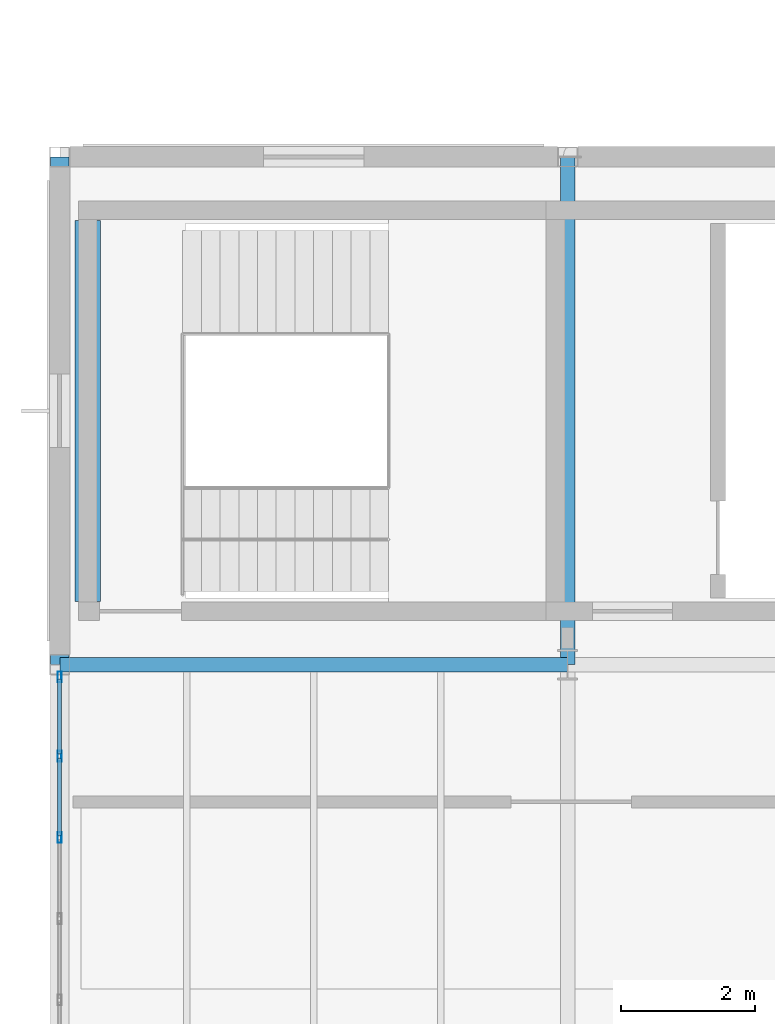
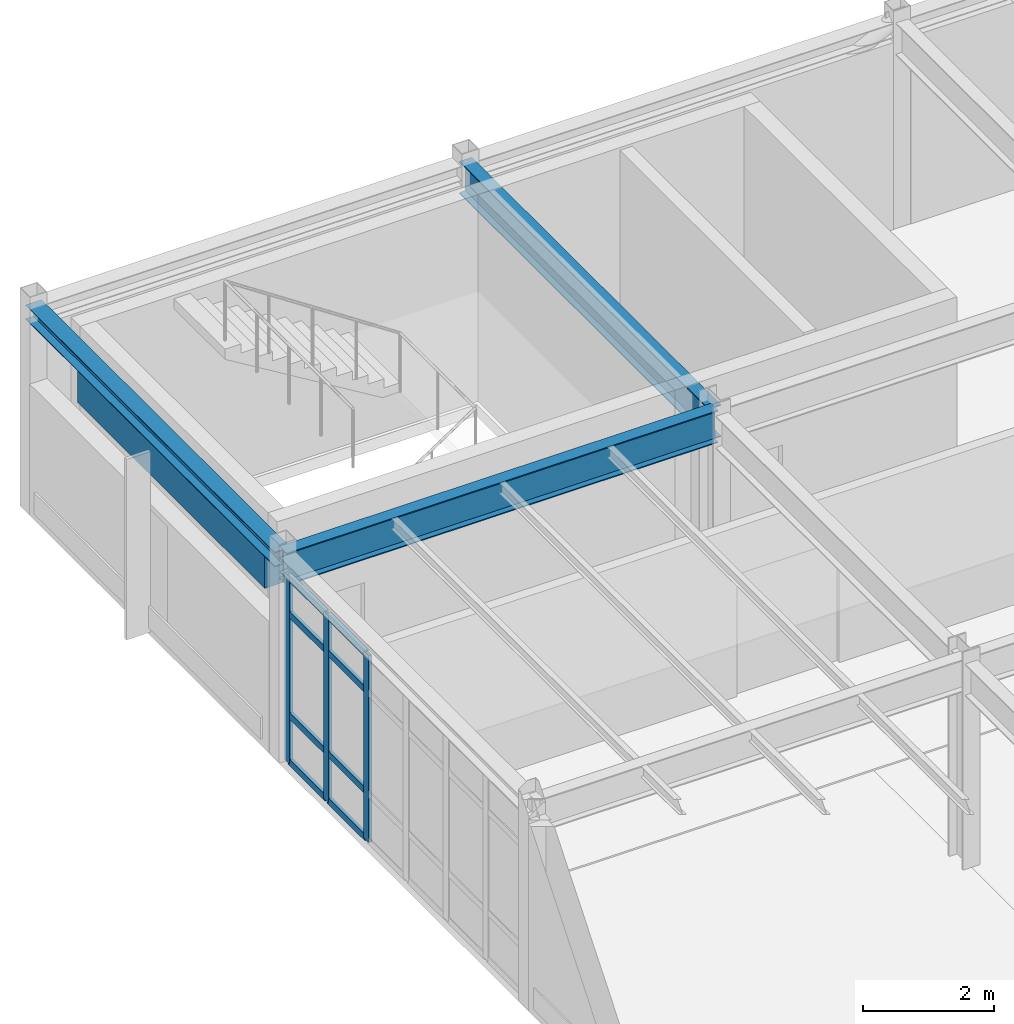
# One storey, part 75 of 165: 11 members, 4 beams, 1 element without a shape of its own.
"""IFC4 building model written with IfcOpenShell, lengths in metres."""

from ifc_helpers import new_model, si_unit, direction, frame, origin, origin_2d, place, context, subcontext, project, spatial, rectangle, hollow_rectangle, i_section, extrude, material, layer, layer_set, material_profile, profile_set, type_object, element, aggregate, save


model = new_model("IFC4")

# Units and contexts
model_context = context("Model", 3, precision=1e-05, world=origin(), true_north=direction((0.0, 1.0)))
body_context = subcontext(model_context, "Body", "Model", "MODEL_VIEW")
ifc_project = project(units=[si_unit("LENGTHUNIT", "METRE"), si_unit("AREAUNIT", "SQUARE_METRE"), si_unit("VOLUMEUNIT", "CUBIC_METRE"), si_unit("PLANEANGLEUNIT", "RADIAN"), si_unit("MASSUNIT", "GRAM", prefix="KILO")], contexts=[model_context])

# Site, building, storey
site_placement = place(None, origin())
site = spatial("IfcSite", under=ifc_project, at=site_placement, CompositionType="ELEMENT")
building_placement = place(site_placement, origin())
building = spatial("IfcBuilding", under=site, at=building_placement, Name="Montecoro Central Library", CompositionType="ELEMENT")
storey_placement = place(building_placement, frame((0.0, 0.0, 5.10009765625)))
storey = spatial("IfcBuildingStorey", under=building, at=storey_placement, Name="L01", CompositionType="ELEMENT", Elevation=5.10009765625)

# Beams
ifc_material_1 = material(Name="Steel S355J2", Category="steel")
ifc_material_profile_1 = material_profile(ifc_material_1, i_section(OverallWidth=0.219970703125, OverallDepth=0.60009765625, WebThickness=0.011962890625, FlangeThickness=0.01904296875, at=origin_2d()), Name="IPE 600")
ifc_profile_set_1 = profile_set([ifc_material_profile_1], Name="Steel S355J2")
beam_type_1 = type_object("IfcBeamType", Name="BM-G-IPE600", PredefinedType="USERDEFINED", material=ifc_profile_set_1)
for number, where, z_axis, x_axis, name in (
    (1, (5.0048828125, 103.800048828125, 3.52490234375), (1.0, 0.0, 0.0), (0.0, 1.0, 0.0), "V4-L01-BX-12-P"),
    (2, (12.60009765625, 103.804931640625, 3.52490234375), (0.0, 1.0, 0.0), (-1.0, 0.0, 0.0), "V4-L01-BY-2-PQ"),
):
    element("IfcBeam", number, at=place(storey_placement, frame(where, z_axis=z_axis, x_axis=x_axis)), inside=storey, type_object=beam_type_1, Name=name, ObjectType="GIRDER", PredefinedType="USERDEFINED", context=body_context, shape_type="SweptSolid", body=[
        extrude(i_section(OverallWidth=0.219970703125, OverallDepth=0.60009765625, WebThickness=0.011962890625, FlangeThickness=0.01904296875, at=origin_2d()), origin(), (0.0, 0.0, 1.0), 7.590087890625),
    ])
ifc_material_2 = material(Name="Concrete C35/45", Category="concrete")
ifc_material_profile_2 = material_profile(ifc_material_2, rectangle(XDim=0.3798828125, YDim=0.6201171875, at=origin_2d()), Name="RC LNT 620x380")
ifc_profile_set_2 = profile_set([ifc_material_profile_2], Name="Concrete C35/45")
beam_type_2 = type_object("IfcBeamType", Name="BM-LN-RC05", PredefinedType="LINTEL", material=ifc_profile_set_2)
beam_1_placement = place(storey_placement, frame((5.419921875, 104.75, 2.760009765625), z_axis=(0.0, 1.0, 0.0), x_axis=(-1.0, 0.0, 0.0)))
element("IfcBeam", 3, at=beam_1_placement, inside=storey, type_object=beam_type_2, Name="C5-L01-LNT", PredefinedType="LINTEL", context=body_context, shape_type="SweptSolid", body=[
    extrude(rectangle(XDim=0.3798828125, YDim=0.6201171875, at=origin_2d()), origin(), (0.0, 0.0, 1.0), 5.699951171875),
])
ifc_material_3 = material(Name="Steel S355", Category="steel")
ifc_material_profile_3 = material_profile(ifc_material_3, i_section(OverallWidth=0.280029296875, OverallDepth=0.27001953125, WebThickness=0.008056640625, FlangeThickness=0.012939453125, at=origin_2d()), Name="HEA 280")
ifc_profile_set_3 = profile_set([ifc_material_profile_3], Name="Steel S355")
beam_type_3 = type_object("IfcBeamType", Name="BM-SP-HEA280", PredefinedType="SPANDREL", material=ifc_profile_set_3)
beam_2_placement = place(storey_placement, frame((5.0, 103.804931640625, 3.68994140625), z_axis=(0.0, 1.0, 0.0), x_axis=(-1.0, 0.0, 0.0)))
element("IfcBeam", 4, at=beam_2_placement, inside=storey, type_object=beam_type_3, Name="V4-L01-BY-1-PQ", PredefinedType="SPANDREL", context=body_context, shape_type="SweptSolid", body=[
    extrude(i_section(OverallWidth=0.280029296875, OverallDepth=0.27001953125, WebThickness=0.008056640625, FlangeThickness=0.012939453125, at=origin_2d()), origin(), (0.0, 0.0, 1.0), 7.590087890625),
])

# Curtain wall, members
ifc_material_4 = material(Name="Bronze-anodised aluminium and low-E glazing", Category="aluminium")
ifc_layer = layer(ifc_material_4, 0.159912109375)
ifc_layer_set = layer_set([ifc_layer], Name="Bronze-anodised aluminium and low-E glazing")
curtain_wall_type = type_object("IfcCurtainWallType", Name="CWT-045", PredefinedType="NOTDEFINED", material=ifc_layer_set)
curtain_wall_placement = place(storey_placement, origin())
curtain_wall = element("IfcCurtainWall", 5, at=curtain_wall_placement, inside=storey, type_object=curtain_wall_type, Name="V4-L01-CW-W3", PredefinedType="NOTDEFINED")
ifc_material_5 = material(Name="Bronze-anodised aluminium", Category="aluminium")
ifc_material_profile_4 = material_profile(ifc_material_5, hollow_rectangle(XDim=0.06005859375, YDim=0.159912109375, WallThickness=0.00390625, at=origin_2d()), Name="CWM 160x60x4.0")
ifc_profile_set_4 = profile_set([ifc_material_profile_4], Name="Bronze-anodised aluminium")
member_type_1 = type_object("IfcMemberType", Name="CWM-BRZ-60", PredefinedType="MULLION", material=ifc_profile_set_4)
member_1_placement = place(storey_placement, frame((5.0, 103.616943359375, 0.0), z_axis=(0.0, 0.0, 1.0), x_axis=(1.0, 0.0, 0.0)))
member_1 = element("IfcMember", 6, at=member_1_placement, type_object=member_type_1, Name="CW-045 mullion 1", PredefinedType="MULLION", context=body_context, shape_type="SweptSolid", body=[
    extrude(hollow_rectangle(XDim=0.06005859375, YDim=0.159912109375, WallThickness=0.00390625, at=origin_2d()), origin(), (0.0, 0.0, 1.0), 3.47998046875),
])
member_2_placement = place(storey_placement, frame((5.0, 102.431396484375, 0.0), z_axis=(0.0, 0.0, 1.0), x_axis=(1.0, 0.0, 0.0)))
member_2 = element("IfcMember", 7, at=member_2_placement, type_object=member_type_1, Name="CW-045 mullion 2", PredefinedType="MULLION", context=body_context, shape_type="SweptSolid", body=[
    extrude(hollow_rectangle(XDim=0.06005859375, YDim=0.159912109375, WallThickness=0.00390625, at=origin_2d()), origin(), (0.0, 0.0, 1.0), 3.47998046875),
])
member_3_placement = place(storey_placement, frame((5.0, 101.215576171875, 0.0), z_axis=(0.0, 0.0, 1.0), x_axis=(1.0, 0.0, 0.0)))
member_3 = element("IfcMember", 8, at=member_3_placement, type_object=member_type_1, Name="CW-045 mullion 3", PredefinedType="MULLION", context=body_context, shape_type="SweptSolid", body=[
    extrude(hollow_rectangle(XDim=0.06005859375, YDim=0.159912109375, WallThickness=0.00390625, at=origin_2d()), origin(), (0.0, 0.0, 1.0), 3.47998046875),
])
ifc_material_profile_5 = material_profile(ifc_material_5, hollow_rectangle(XDim=0.06005859375, YDim=0.1201171875, WallThickness=0.00390625, at=origin_2d()), Name="CWT 120x60x4.0")
ifc_profile_set_5 = profile_set([ifc_material_profile_5], Name="Bronze-anodised aluminium")
member_type_2 = type_object("IfcMemberType", Name="CWT-BRZ-60", PredefinedType="USERDEFINED", material=ifc_profile_set_5)
member_4_placement = place(storey_placement, frame((5.0, 103.5869140625, 0.02978515625), z_axis=(0.0, -1.0, 0.0), x_axis=(1.0, 0.0, 0.0)))
member_4 = element("IfcMember", 9, at=member_4_placement, type_object=member_type_2, Name="CW-045 transom 1.1", ObjectType="TRANSOM", PredefinedType="USERDEFINED", context=body_context, shape_type="SweptSolid", body=[
    extrude(hollow_rectangle(XDim=0.06005859375, YDim=0.1201171875, WallThickness=0.00390625, at=origin_2d()), origin(), (0.0, 0.0, 1.0), 1.12548828125),
])
member_5_placement = place(storey_placement, frame((5.0, 103.5869140625, 0.89990234375), z_axis=(0.0, -1.0, 0.0), x_axis=(1.0, 0.0, 0.0)))
member_5 = element("IfcMember", 10, at=member_5_placement, type_object=member_type_2, Name="CW-045 transom 1.2", ObjectType="TRANSOM", PredefinedType="USERDEFINED", context=body_context, shape_type="SweptSolid", body=[
    extrude(hollow_rectangle(XDim=0.06005859375, YDim=0.1201171875, WallThickness=0.00390625, at=origin_2d()), origin(), (0.0, 0.0, 1.0), 1.12548828125),
])
member_6_placement = place(storey_placement, frame((5.0, 103.5869140625, 2.77978515625), z_axis=(0.0, -1.0, 0.0), x_axis=(1.0, 0.0, 0.0)))
member_6 = element("IfcMember", 11, at=member_6_placement, type_object=member_type_2, Name="CW-045 transom 1.3", ObjectType="TRANSOM", PredefinedType="USERDEFINED", context=body_context, shape_type="SweptSolid", body=[
    extrude(hollow_rectangle(XDim=0.06005859375, YDim=0.1201171875, WallThickness=0.00390625, at=origin_2d()), origin(), (0.0, 0.0, 1.0), 1.12548828125),
])
member_7_placement = place(storey_placement, frame((5.0, 103.5869140625, 3.449951171875), z_axis=(0.0, -1.0, 0.0), x_axis=(1.0, 0.0, 0.0)))
member_7 = element("IfcMember", 12, at=member_7_placement, type_object=member_type_2, Name="CW-045 transom 1.4", ObjectType="TRANSOM", PredefinedType="USERDEFINED", context=body_context, shape_type="SweptSolid", body=[
    extrude(hollow_rectangle(XDim=0.06005859375, YDim=0.1201171875, WallThickness=0.00390625, at=origin_2d()), origin(), (0.0, 0.0, 1.0), 1.12548828125),
])
member_8_placement = place(storey_placement, frame((5.0, 102.4013671875, 0.02978515625), z_axis=(0.0, -1.0, 0.0), x_axis=(1.0, 0.0, 0.0)))
member_8 = element("IfcMember", 13, at=member_8_placement, type_object=member_type_2, Name="CW-045 transom 2.1", ObjectType="TRANSOM", PredefinedType="USERDEFINED", context=body_context, shape_type="SweptSolid", body=[
    extrude(hollow_rectangle(XDim=0.06005859375, YDim=0.1201171875, WallThickness=0.00390625, at=origin_2d()), origin(), (0.0, 0.0, 1.0), 1.15576171875),
])
member_9_placement = place(storey_placement, frame((5.0, 102.4013671875, 0.89990234375), z_axis=(0.0, -1.0, 0.0), x_axis=(1.0, 0.0, 0.0)))
member_9 = element("IfcMember", 14, at=member_9_placement, type_object=member_type_2, Name="CW-045 transom 2.2", ObjectType="TRANSOM", PredefinedType="USERDEFINED", context=body_context, shape_type="SweptSolid", body=[
    extrude(hollow_rectangle(XDim=0.06005859375, YDim=0.1201171875, WallThickness=0.00390625, at=origin_2d()), origin(), (0.0, 0.0, 1.0), 1.15576171875),
])
member_10_placement = place(storey_placement, frame((5.0, 102.4013671875, 2.77978515625), z_axis=(0.0, -1.0, 0.0), x_axis=(1.0, 0.0, 0.0)))
member_10 = element("IfcMember", 15, at=member_10_placement, type_object=member_type_2, Name="CW-045 transom 2.3", ObjectType="TRANSOM", PredefinedType="USERDEFINED", context=body_context, shape_type="SweptSolid", body=[
    extrude(hollow_rectangle(XDim=0.06005859375, YDim=0.1201171875, WallThickness=0.00390625, at=origin_2d()), origin(), (0.0, 0.0, 1.0), 1.15576171875),
])
member_11_placement = place(storey_placement, frame((5.0, 102.4013671875, 3.449951171875), z_axis=(0.0, -1.0, 0.0), x_axis=(1.0, 0.0, 0.0)))
member_11 = element("IfcMember", 16, at=member_11_placement, type_object=member_type_2, Name="CW-045 transom 2.4", ObjectType="TRANSOM", PredefinedType="USERDEFINED", context=body_context, shape_type="SweptSolid", body=[
    extrude(hollow_rectangle(XDim=0.06005859375, YDim=0.1201171875, WallThickness=0.00390625, at=origin_2d()), origin(), (0.0, 0.0, 1.0), 1.15576171875),
])
aggregate(curtain_wall, [member_1, member_2, member_3, member_4, member_5, member_6, member_7, member_8, member_9, member_10, member_11])

save(model, "model.ifc")
